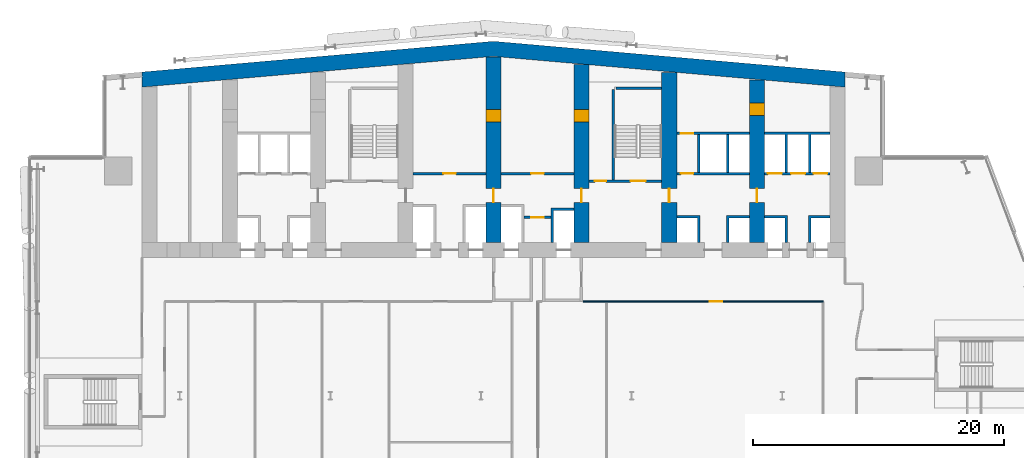
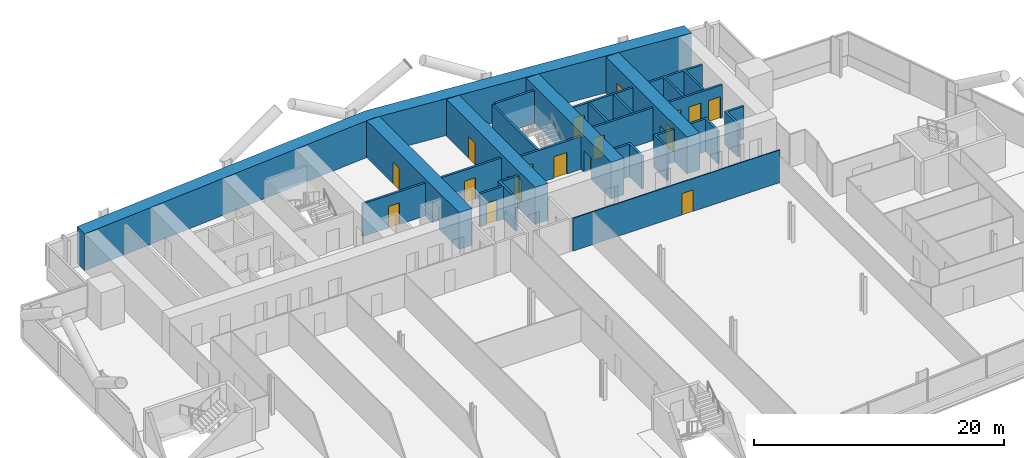
# One storey, part 15 of 24: 23 walls, 18 doors, 18 openings.
"""IFC4 building model written with IfcOpenShell, lengths in metres."""

from ifc_helpers import new_model, si_unit, direction, frame, frame_2d, origin, place, context, subcontext, project, spatial, polyline, rectangle, outline, extrude, material, layer, layer_set, type_object, element, fill, save


model = new_model("IFC4")

# Units and contexts
model_context = context("Model", 3, precision=1e-05, world=origin(), true_north=direction((0.0, 1.0)))
body_context = subcontext(model_context, "Body", "Model", "MODEL_VIEW")
ifc_project = project(units=[si_unit("LENGTHUNIT", "METRE"), si_unit("AREAUNIT", "SQUARE_METRE"), si_unit("VOLUMEUNIT", "CUBIC_METRE"), si_unit("PLANEANGLEUNIT", "RADIAN"), si_unit("MASSUNIT", "GRAM", prefix="KILO")], contexts=[model_context])

# Site, building, storey
site_placement = place(None, origin())
site = spatial("IfcSite", under=ifc_project, at=site_placement, CompositionType="ELEMENT")
building_placement = place(site_placement, origin())
building = spatial("IfcBuilding", under=site, at=building_placement, Name="Wharfspan Tower", CompositionType="ELEMENT")
storey_placement = place(building_placement, frame((0.0, 0.0, 66.699951)))
storey = spatial("IfcBuildingStorey", under=building, at=storey_placement, Name="L13", CompositionType="ELEMENT", Elevation=66.699951)

# Wall, opening, door
ifc_material_1 = material(Name="Gypsum board on steel studs", Category="steel")
ifc_layer_1 = layer(ifc_material_1, 0.100098)
ifc_layer_set_1 = layer_set([ifc_layer_1], Name="Gypsum board on steel studs")
wall_type_1 = type_object("IfcWallType", Name="Compartment wall 100 EI 60", PredefinedType="PARTITIONING", material=ifc_layer_set_1)
wall_1_placement = place(storey_placement, frame((44.149902, 30.5, 0.0), z_axis=(0.0, 0.0, 1.0), x_axis=(1.0, 0.0, 0.0)))
wall_1 = element("IfcWall", 1, at=wall_1_placement, inside=storey, type_object=wall_type_1, Name="Partition L13.w018 (2)", PredefinedType="PARTITIONING", context=body_context, shape_type="SweptSolid", body=[
    extrude(rectangle(XDim=19.100098, YDim=0.100098, at=frame_2d((9.550049, 0.0))), origin(), (0.0, 0.0, 1.0), 3.199951),
])
opening_1_placement = place(wall_1_placement, frame((10.070068, 0.0, 0.0)))
opening_1 = element("IfcOpeningElement", 2, at=opening_1_placement, cuts=wall_1, Name="Opening A3-17", PredefinedType="OPENING", context=body_context, shape_type="SweptSolid", body=[
    extrude(rectangle(XDim=1.0, YDim=2.100098, at=frame_2d((0.5, 1.050049))), frame((0.0, 0.060059, 0.0), z_axis=(0.0, -1.0, 0.0), x_axis=(1.0, 0.0, 0.0)), (0.0, 0.0, 1.0), 0.120117),
])
ifc_material_2 = material(Name="Fire-rated timber door leaf in steel frame", Category="steel")
door_type_1 = type_object("IfcDoorType", Name="Door 1000 FD30S Right", OperationType="SINGLE_SWING_RIGHT", PredefinedType="DOOR", material=ifc_material_2)
door_1_placement = place(opening_1_placement, origin())
door_1 = element("IfcDoor", 3, at=door_1_placement, inside=storey, type_object=door_type_1, Name="Door A3-17", OperationType="SINGLE_SWING_RIGHT", OverallHeight=2.100098, OverallWidth=1.0, PredefinedType="DOOR", context=body_context, shape_type="SweptSolid", body=[
    extrude(rectangle(XDim=1.0, YDim=2.100098, at=frame_2d((0.5, 1.050049))), frame((0.0, 0.024902, 0.0), z_axis=(0.0, -1.0, 0.0), x_axis=(1.0, 0.0, 0.0)), (0.0, 0.0, 1.0), 0.050049),
])
fill(opening_1, door_1)

ifc_material_3 = material(Name="Calcium silicate masonry", Category="masonry")
ifc_layer_2 = layer(ifc_material_3, 0.199951)
ifc_layer_set_2 = layer_set([ifc_layer_2], Name="Calcium silicate masonry")
wall_type_2 = type_object("IfcWallType", Name="Core room wall 200", PredefinedType="PARTITIONING", material=ifc_layer_set_2)
wall_2_placement = place(storey_placement, frame((39.43335, 37.199951, 0.0), z_axis=(0.0, 0.0, 1.0), x_axis=(1.0, 0.0, 0.0)))
wall_2 = element("IfcWall", 4, at=wall_2_placement, inside=storey, type_object=wall_type_2, Name="sw:L13:FR4.2", PredefinedType="PARTITIONING", context=body_context, shape_type="SweptSolid", body=[
    extrude(rectangle(XDim=2.133301, YDim=0.199951, at=frame_2d((1.06665, 0.0))), origin(), (0.0, 0.0, 1.0), 3.199951),
])
opening_2_placement = place(wall_2_placement, frame((0.56665, 0.0, 0.0)))
opening_2 = element("IfcOpeningElement", 5, at=opening_2_placement, cuts=wall_2, Name="Opening CD13.4H2", PredefinedType="OPENING", context=body_context, shape_type="SweptSolid", body=[
    extrude(rectangle(XDim=1.0, YDim=2.100098, at=frame_2d((0.5, 1.050049))), frame((0.0, 0.109863, 0.0), z_axis=(0.0, -1.0, 0.0), x_axis=(1.0, 0.0, 0.0)), (0.0, 0.0, 1.0), 0.219971),
])
ifc_material_4 = material(Name="Steel door leaf", Category="steel")
door_type_2 = type_object("IfcDoorType", Name="Core room door 1000x2100", OperationType="SINGLE_SWING_LEFT", PredefinedType="DOOR", material=ifc_material_4)
door_2_placement = place(opening_2_placement, origin())
door_2 = element("IfcDoor", 6, at=door_2_placement, inside=storey, type_object=door_type_2, Name="d:L13:4:fh4.2", OperationType="SINGLE_SWING_RIGHT", OverallHeight=2.100098, OverallWidth=1.0, PredefinedType="DOOR", context=body_context, shape_type="SweptSolid", body=[
    extrude(rectangle(XDim=1.0, YDim=2.100098, at=frame_2d((0.5, 1.050049))), frame((0.0, 0.024902, 0.0), z_axis=(0.0, -1.0, 0.0), x_axis=(1.0, 0.0, 0.0)), (0.0, 0.0, 1.0), 0.050049),
])
fill(opening_2, door_2)

# Wall
ifc_material_5 = material(Name="Concrete C70/85", Category="concrete")
ifc_layer_3 = layer(ifc_material_5, 1.199951)
ifc_layer_set_3 = layer_set([ifc_layer_3], Name="Concrete C70/85")
wall_type_3 = type_object("IfcWallType", Name="Core wall 1200 C70/85", PredefinedType="SHEAR", material=ifc_layer_set_3)
wall_3_placement = place(storey_placement, origin())
element("IfcWall", 7, at=wall_3_placement, inside=storey, type_object=wall_type_3, Name="Core rear wall L13", PredefinedType="SHEAR", context=body_context, shape_type="SweptSolid", body=[
    extrude(outline(polyline([(9.0, 47.582764), (37.0, 50.032471), (65.0, 47.582764), (65.0, 48.787354), (37.0, 51.237061), (9.0, 48.787354), (9.0, 47.582764)])), origin(), (0.0, 0.0, 1.0), 3.600098),
])

# Wall, openings, doors
wall_4_placement = place(storey_placement, frame((37.0, 35.199951, 0.0), z_axis=(0.0, 0.0, 1.0), x_axis=(0.0, 1.0, 0.0)))
wall_4 = element("IfcWall", 8, at=wall_4_placement, inside=storey, type_object=wall_type_3, Name="Core cross wall X4 L13", PredefinedType="SHEAR", context=body_context, shape_type="SweptSolid", body=[
    extrude(rectangle(XDim=14.780029, YDim=1.199951, at=frame_2d((7.390137, 0.0))), origin(), (0.0, 0.0, 1.0), 3.600098),
])
opening_3_placement = place(wall_4_placement, frame((3.199951, 0.0, 0.0)))
opening_3 = element("IfcOpeningElement", 9, at=opening_3_placement, cuts=wall_4, Name="Opening CC13.4", PredefinedType="OPENING", context=body_context, shape_type="SweptSolid", body=[
    extrude(rectangle(XDim=1.100098, YDim=2.100098, at=frame_2d((0.550049, 1.050049))), frame((0.0, 0.609863, 0.0), z_axis=(0.0, -1.0, 0.0), x_axis=(1.0, 0.0, 0.0)), (0.0, 0.0, 1.0), 1.219971),
])
opening_4_placement = place(wall_4_placement, frame((9.600098, 0.0, 0.0)))
opening_4 = element("IfcOpeningElement", 10, at=opening_4_placement, cuts=wall_4, Name="Opening CR13.4", PredefinedType="OPENING", context=body_context, shape_type="SweptSolid", body=[
    extrude(rectangle(XDim=1.0, YDim=2.100098, at=frame_2d((0.5, 1.050049))), frame((0.0, 0.609863, 0.0), z_axis=(0.0, -1.0, 0.0), x_axis=(1.0, 0.0, 0.0)), (0.0, 0.0, 1.0), 1.219971),
])
door_type_3 = type_object("IfcDoorType", Name="Core corridor door 1100x2100", OperationType="SINGLE_SWING_LEFT", PredefinedType="DOOR", material=ifc_material_4)
door_3_placement = place(opening_3_placement, origin())
door_3 = element("IfcDoor", 11, at=door_3_placement, inside=storey, type_object=door_type_3, Name="xd:L13:4", OperationType="SINGLE_SWING_RIGHT", OverallHeight=2.100098, OverallWidth=1.100098, PredefinedType="DOOR", context=body_context, shape_type="SweptSolid", body=[
    extrude(rectangle(XDim=1.100098, YDim=2.100098, at=frame_2d((0.550049, 1.050049))), frame((0.0, 0.024902, 0.0), z_axis=(0.0, -1.0, 0.0), x_axis=(1.0, 0.0, 0.0)), (0.0, 0.0, 1.0), 0.050049),
])
fill(opening_3, door_3)
door_4_placement = place(opening_4_placement, origin())
door_4 = element("IfcDoor", 12, at=door_4_placement, inside=storey, type_object=door_type_2, Name="xr:L13:4", OperationType="SINGLE_SWING_RIGHT", OverallHeight=2.100098, OverallWidth=1.0, PredefinedType="DOOR", context=body_context, shape_type="SweptSolid", body=[
    extrude(rectangle(XDim=1.0, YDim=2.100098, at=frame_2d((0.5, 1.050049))), frame((0.0, 0.599609, 0.0), z_axis=(0.0, -1.0, 0.0), x_axis=(1.0, 0.0, 0.0)), (0.0, 0.0, 1.0), 1.199463),
])
fill(opening_4, door_4)

wall_5_placement = place(storey_placement, frame((44.0, 35.199951, 0.0), z_axis=(0.0, 0.0, 1.0), x_axis=(0.0, 1.0, 0.0)))
wall_5 = element("IfcWall", 13, at=wall_5_placement, inside=storey, type_object=wall_type_3, Name="Core cross wall X5 L13", PredefinedType="SHEAR", context=body_context, shape_type="SweptSolid", body=[
    extrude(rectangle(XDim=14.167725, YDim=1.199951, at=frame_2d((7.083984, 0.0))), origin(), (0.0, 0.0, 1.0), 3.600098),
])
opening_5_placement = place(wall_5_placement, frame((3.199951, 0.0, 0.0)))
opening_5 = element("IfcOpeningElement", 14, at=opening_5_placement, cuts=wall_5, Name="Opening CC13.5", PredefinedType="OPENING", context=body_context, shape_type="SweptSolid", body=[
    extrude(rectangle(XDim=1.100098, YDim=2.100098, at=frame_2d((0.550049, 1.050049))), frame((0.0, 0.609863, 0.0), z_axis=(0.0, -1.0, 0.0), x_axis=(1.0, 0.0, 0.0)), (0.0, 0.0, 1.0), 1.219971),
])
opening_6_placement = place(wall_5_placement, frame((9.600098, 0.0, 0.0)))
opening_6 = element("IfcOpeningElement", 15, at=opening_6_placement, cuts=wall_5, Name="Opening CR13.5", PredefinedType="OPENING", context=body_context, shape_type="SweptSolid", body=[
    extrude(rectangle(XDim=1.0, YDim=2.100098, at=frame_2d((0.5, 1.050049))), frame((0.0, 0.609863, 0.0), z_axis=(0.0, -1.0, 0.0), x_axis=(1.0, 0.0, 0.0)), (0.0, 0.0, 1.0), 1.219971),
])
door_5_placement = place(opening_5_placement, origin())
door_5 = element("IfcDoor", 16, at=door_5_placement, inside=storey, type_object=door_type_3, Name="xd:L13:5", OperationType="SINGLE_SWING_LEFT", OverallHeight=2.100098, OverallWidth=1.100098, PredefinedType="DOOR", context=body_context, shape_type="SweptSolid", body=[
    extrude(rectangle(XDim=1.100098, YDim=2.100098, at=frame_2d((0.550049, 1.050049))), frame((0.0, 0.024902, 0.0), z_axis=(0.0, -1.0, 0.0), x_axis=(1.0, 0.0, 0.0)), (0.0, 0.0, 1.0), 0.050049),
])
fill(opening_5, door_5)
door_6_placement = place(opening_6_placement, origin())
door_6 = element("IfcDoor", 17, at=door_6_placement, inside=storey, type_object=door_type_2, Name="xr:L13:5", OperationType="SINGLE_SWING_RIGHT", OverallHeight=2.100098, OverallWidth=1.0, PredefinedType="DOOR", context=body_context, shape_type="SweptSolid", body=[
    extrude(rectangle(XDim=1.0, YDim=2.100098, at=frame_2d((0.5, 1.050049))), frame((0.0, 0.599609, 0.0), z_axis=(0.0, -1.0, 0.0), x_axis=(1.0, 0.0, 0.0)), (0.0, 0.0, 1.0), 1.199463),
])
fill(opening_6, door_6)

# Wall, opening, door
wall_6_placement = place(storey_placement, frame((51.0, 35.199951, 0.0), z_axis=(0.0, 0.0, 1.0), x_axis=(0.0, 1.0, 0.0)))
wall_6 = element("IfcWall", 18, at=wall_6_placement, inside=storey, type_object=wall_type_3, Name="Core cross wall X6 L13", PredefinedType="SHEAR", context=body_context, shape_type="SweptSolid", body=[
    extrude(rectangle(XDim=13.555176, YDim=1.199951, at=frame_2d((6.777588, 0.0))), origin(), (0.0, 0.0, 1.0), 3.600098),
])
opening_7_placement = place(wall_6_placement, frame((3.199951, 0.0, 0.0)))
opening_7 = element("IfcOpeningElement", 19, at=opening_7_placement, cuts=wall_6, Name="Opening CC13.6", PredefinedType="OPENING", context=body_context, shape_type="SweptSolid", body=[
    extrude(rectangle(XDim=1.100098, YDim=2.100098, at=frame_2d((0.550049, 1.050049))), frame((0.0, 0.609863, 0.0), z_axis=(0.0, -1.0, 0.0), x_axis=(1.0, 0.0, 0.0)), (0.0, 0.0, 1.0), 1.219971),
])
door_7_placement = place(opening_7_placement, origin())
door_7 = element("IfcDoor", 20, at=door_7_placement, inside=storey, type_object=door_type_3, Name="xd:L13:6", OperationType="SINGLE_SWING_RIGHT", OverallHeight=2.100098, OverallWidth=1.100098, PredefinedType="DOOR", context=body_context, shape_type="SweptSolid", body=[
    extrude(rectangle(XDim=1.100098, YDim=2.100098, at=frame_2d((0.550049, 1.050049))), frame((0.0, 0.024902, 0.0), z_axis=(0.0, -1.0, 0.0), x_axis=(1.0, 0.0, 0.0)), (0.0, 0.0, 1.0), 0.050049),
])
fill(opening_7, door_7)

# Wall, openings, doors
wall_7_placement = place(storey_placement, frame((58.0, 35.199951, 0.0), z_axis=(0.0, 0.0, 1.0), x_axis=(0.0, 1.0, 0.0)))
wall_7 = element("IfcWall", 21, at=wall_7_placement, inside=storey, type_object=wall_type_3, Name="Core cross wall X7 L13", PredefinedType="SHEAR", context=body_context, shape_type="SweptSolid", body=[
    extrude(rectangle(XDim=12.942871, YDim=1.199951, at=frame_2d((6.471436, 0.0))), origin(), (0.0, 0.0, 1.0), 3.600098),
])
opening_8_placement = place(wall_7_placement, frame((10.133789, 0.0, 0.0)))
opening_8 = element("IfcOpeningElement", 22, at=opening_8_placement, cuts=wall_7, Name="Opening CD13.7X", PredefinedType="OPENING", context=body_context, shape_type="SweptSolid", body=[
    extrude(rectangle(XDim=1.0, YDim=2.100098, at=frame_2d((0.5, 1.050049))), frame((0.0, 0.609863, 0.0), z_axis=(0.0, -1.0, 0.0), x_axis=(1.0, 0.0, 0.0)), (0.0, 0.0, 1.0), 1.219971),
])
opening_9_placement = place(wall_7_placement, frame((3.199951, 0.0, 0.0)))
opening_9 = element("IfcOpeningElement", 23, at=opening_9_placement, cuts=wall_7, Name="Opening CC13.7", PredefinedType="OPENING", context=body_context, shape_type="SweptSolid", body=[
    extrude(rectangle(XDim=1.100098, YDim=2.100098, at=frame_2d((0.550049, 1.050049))), frame((0.0, 0.609863, 0.0), z_axis=(0.0, -1.0, 0.0), x_axis=(1.0, 0.0, 0.0)), (0.0, 0.0, 1.0), 1.219971),
])
door_8_placement = place(opening_9_placement, origin())
door_8 = element("IfcDoor", 24, at=door_8_placement, inside=storey, type_object=door_type_3, Name="xd:L13:7", OperationType="SINGLE_SWING_LEFT", OverallHeight=2.100098, OverallWidth=1.100098, PredefinedType="DOOR", context=body_context, shape_type="SweptSolid", body=[
    extrude(rectangle(XDim=1.100098, YDim=2.100098, at=frame_2d((0.550049, 1.050049))), frame((0.0, 0.024902, 0.0), z_axis=(0.0, -1.0, 0.0), x_axis=(1.0, 0.0, 0.0)), (0.0, 0.0, 1.0), 0.050049),
])
fill(opening_9, door_8)
door_9_placement = place(opening_8_placement, origin())
door_9 = element("IfcDoor", 25, at=door_9_placement, inside=storey, type_object=door_type_2, Name="d:L13:7:sx", OperationType="SINGLE_SWING_LEFT", OverallHeight=2.100098, OverallWidth=1.0, PredefinedType="DOOR", context=body_context, shape_type="SweptSolid", body=[
    extrude(rectangle(XDim=1.0, YDim=2.100098, at=frame_2d((0.5, 1.050049))), frame((0.0, 0.599609, 0.0), z_axis=(0.0, -1.0, 0.0), x_axis=(1.0, 0.0, 0.0)), (0.0, 0.0, 1.0), 1.199463),
])
fill(opening_8, door_9)

# Wall, opening, door
ifc_material_6 = material(Name="Concrete C30/37", Category="concrete")
ifc_layer_4 = layer(ifc_material_6, 0.199951)
ifc_layer_set_4 = layer_set([ifc_layer_4], Name="Concrete C30/37")
wall_type_4 = type_object("IfcWallType", Name="Lift shaft wall 200", PredefinedType="PARTITIONING", material=ifc_layer_set_4)
wall_8_placement = place(storey_placement, frame((30.600098, 40.699951, 0.0), z_axis=(0.0, 0.0, 1.0), x_axis=(1.0, 0.0, 0.0)))
wall_8 = element("IfcWall", 26, at=wall_8_placement, inside=storey, type_object=wall_type_4, Name="sw:L13:RF3", PredefinedType="PARTITIONING", context=body_context, shape_type="SweptSolid", body=[
    extrude(rectangle(XDim=5.799805, YDim=0.199951, at=frame_2d((2.899902, 0.0))), origin(), (0.0, 0.0, 1.0), 3.199951),
])
opening_10_placement = place(wall_8_placement, frame((2.399902, 0.0, 0.0)))
opening_10 = element("IfcOpeningElement", 27, at=opening_10_placement, cuts=wall_8, Name="Opening CD13.3S", PredefinedType="OPENING", context=body_context, shape_type="SweptSolid", body=[
    extrude(rectangle(XDim=1.0, YDim=2.100098, at=frame_2d((0.5, 1.050049))), frame((0.0, 0.109863, 0.0), z_axis=(0.0, -1.0, 0.0), x_axis=(1.0, 0.0, 0.0)), (0.0, 0.0, 1.0), 0.219971),
])
door_10_placement = place(opening_10_placement, origin())
door_10 = element("IfcDoor", 28, at=door_10_placement, inside=storey, type_object=door_type_2, Name="d:L13:3:sf", OperationType="SINGLE_SWING_LEFT", OverallHeight=2.100098, OverallWidth=1.0, PredefinedType="DOOR", context=body_context, shape_type="SweptSolid", body=[
    extrude(rectangle(XDim=1.0, YDim=2.100098, at=frame_2d((0.5, 1.050049))), frame((0.0, 0.024902, 0.0), z_axis=(0.0, -1.0, 0.0), x_axis=(1.0, 0.0, 0.0)), (0.0, 0.0, 1.0), 0.050049),
])
fill(opening_10, door_10)

wall_9_placement = place(storey_placement, frame((37.600098, 40.699951, 0.0), z_axis=(0.0, 0.0, 1.0), x_axis=(1.0, 0.0, 0.0)))
wall_9 = element("IfcWall", 29, at=wall_9_placement, inside=storey, type_object=wall_type_4, Name="sw:L13:RF4", PredefinedType="PARTITIONING", context=body_context, shape_type="SweptSolid", body=[
    extrude(rectangle(XDim=5.799805, YDim=0.199951, at=frame_2d((2.899902, 0.0))), origin(), (0.0, 0.0, 1.0), 3.199951),
])
opening_11_placement = place(wall_9_placement, frame((2.399902, 0.0, 0.0)))
opening_11 = element("IfcOpeningElement", 30, at=opening_11_placement, cuts=wall_9, Name="Opening CD13.4S", PredefinedType="OPENING", context=body_context, shape_type="SweptSolid", body=[
    extrude(rectangle(XDim=1.0, YDim=2.100098, at=frame_2d((0.5, 1.050049))), frame((0.0, 0.109863, 0.0), z_axis=(0.0, -1.0, 0.0), x_axis=(1.0, 0.0, 0.0)), (0.0, 0.0, 1.0), 0.219971),
])
door_11_placement = place(opening_11_placement, origin())
door_11 = element("IfcDoor", 31, at=door_11_placement, inside=storey, type_object=door_type_2, Name="d:L13:4:sf", OperationType="SINGLE_SWING_LEFT", OverallHeight=2.100098, OverallWidth=1.0, PredefinedType="DOOR", context=body_context, shape_type="SweptSolid", body=[
    extrude(rectangle(XDim=1.0, YDim=2.100098, at=frame_2d((0.5, 1.050049))), frame((0.0, 0.024902, 0.0), z_axis=(0.0, -1.0, 0.0), x_axis=(1.0, 0.0, 0.0)), (0.0, 0.0, 1.0), 0.050049),
])
fill(opening_11, door_11)

# Wall
wall_10_placement = place(storey_placement, frame((0.0, 0.0, -0.000244)))
element("IfcWall", 32, at=wall_10_placement, inside=storey, type_object=wall_type_4, Name="sw:L13:FM4.0", PredefinedType="PARTITIONING", context=body_context, shape_type="SweptSolid", body=[
    extrude(outline(polyline([(41.56665, 37.949951), (41.766602, 37.949951), (43.399902, 37.949951), (43.399902, 37.75), (41.766602, 37.75), (41.766602, 35.199951), (41.56665, 35.199951), (41.56665, 37.949951)])), origin(), (0.0, 0.0, 1.0), 3.200195),
])

# Wall, opening, door
wall_11_placement = place(storey_placement, frame((51.600098, 40.699951, 0.0), z_axis=(0.0, 0.0, 1.0), x_axis=(1.0, 0.0, 0.0)))
wall_11 = element("IfcWall", 33, at=wall_11_placement, inside=storey, type_object=wall_type_4, Name="sw:L13:RF6", PredefinedType="PARTITIONING", context=body_context, shape_type="SweptSolid", body=[
    extrude(rectangle(XDim=5.799805, YDim=0.199951, at=frame_2d((2.899902, 0.0))), origin(), (0.0, 0.0, 1.0), 3.199951),
])
opening_12_placement = place(wall_11_placement, frame((0.31665, 0.0, 0.0)))
opening_12 = element("IfcOpeningElement", 34, at=opening_12_placement, cuts=wall_11, Name="Opening CD13.6R1", PredefinedType="OPENING", context=body_context, shape_type="SweptSolid", body=[
    extrude(rectangle(XDim=1.0, YDim=2.100098, at=frame_2d((0.5, 1.050049))), frame((0.0, 0.109863, 0.0), z_axis=(0.0, -1.0, 0.0), x_axis=(1.0, 0.0, 0.0)), (0.0, 0.0, 1.0), 0.219971),
])
door_12_placement = place(opening_12_placement, origin())
door_12 = element("IfcDoor", 35, at=door_12_placement, inside=storey, type_object=door_type_2, Name="d:L13:6:rd6.1", OperationType="SINGLE_SWING_RIGHT", OverallHeight=2.100098, OverallWidth=1.0, PredefinedType="DOOR", context=body_context, shape_type="SweptSolid", body=[
    extrude(rectangle(XDim=1.0, YDim=2.100098, at=frame_2d((0.5, 1.050049))), frame((0.0, 0.024902, 0.0), z_axis=(0.0, -1.0, 0.0), x_axis=(1.0, 0.0, 0.0)), (0.0, 0.0, 1.0), 0.050049),
])
fill(opening_12, door_12)

wall_12_placement = place(storey_placement, frame((51.600098, 43.899902, 0.0), z_axis=(0.0, 0.0, 1.0), x_axis=(1.0, 0.0, 0.0)))
wall_12 = element("IfcWall", 36, at=wall_12_placement, inside=storey, type_object=wall_type_4, Name="sw:L13:RR6", PredefinedType="PARTITIONING", context=body_context, shape_type="SweptSolid", body=[
    extrude(rectangle(XDim=5.799805, YDim=0.199951, at=frame_2d((2.899902, 0.0))), origin(), (0.0, 0.0, 1.0), 3.199951),
])
opening_13_placement = place(wall_12_placement, frame((0.31665, 0.0, 0.0)))
opening_13 = element("IfcOpeningElement", 37, at=opening_13_placement, cuts=wall_12, Name="Opening CD13.6S1", PredefinedType="OPENING", context=body_context, shape_type="SweptSolid", body=[
    extrude(rectangle(XDim=1.0, YDim=2.100098, at=frame_2d((0.5, 1.050049))), frame((0.0, 0.109863, 0.0), z_axis=(0.0, -1.0, 0.0), x_axis=(1.0, 0.0, 0.0)), (0.0, 0.0, 1.0), 0.219971),
])
door_13_placement = place(opening_13_placement, origin())
door_13 = element("IfcDoor", 38, at=door_13_placement, inside=storey, type_object=door_type_2, Name="d:L13:6:rs6.1", OperationType="SINGLE_SWING_LEFT", OverallHeight=2.100098, OverallWidth=1.0, PredefinedType="DOOR", context=body_context, shape_type="SweptSolid", body=[
    extrude(rectangle(XDim=1.0, YDim=2.100098, at=frame_2d((0.5, 1.050049))), frame((0.0, 0.024902, 0.0), z_axis=(0.0, -1.0, 0.0), x_axis=(1.0, 0.0, 0.0)), (0.0, 0.0, 1.0), 0.050049),
])
fill(opening_13, door_13)

# Walls
wall_13_placement = place(storey_placement, frame((0.0, 0.0, -0.000244)))
element("IfcWall", 39, at=wall_13_placement, inside=storey, type_object=wall_type_4, Name="sw:L13:FM6.0", PredefinedType="PARTITIONING", context=body_context, shape_type="SweptSolid", body=[
    extrude(outline(polyline([(53.233398, 37.149902), (51.600098, 37.149902), (51.600098, 37.350098), (53.233398, 37.350098), (53.43335, 37.350098), (53.43335, 35.199951), (53.233398, 35.199951), (53.233398, 37.149902)])), origin(), (0.0, 0.0, 1.0), 3.200195),
])
wall_14_placement = place(storey_placement, frame((0.0, 0.0, -0.000244)))
element("IfcWall", 40, at=wall_14_placement, inside=storey, type_object=wall_type_4, Name="sw:L13:FM6.1", PredefinedType="PARTITIONING", context=body_context, shape_type="SweptSolid", body=[
    extrude(outline(polyline([(55.56665, 37.350098), (55.766602, 37.350098), (57.399902, 37.350098), (57.399902, 37.149902), (55.766602, 37.149902), (55.766602, 35.199951), (55.56665, 35.199951), (55.56665, 37.350098)])), origin(), (0.0, 0.0, 1.0), 3.200195),
])
wall_15_placement = place(storey_placement, frame((0.0, 0.0, -0.000244)))
element("IfcWall", 41, at=wall_15_placement, inside=storey, type_object=wall_type_4, Name="sw:L13:RM6.0", PredefinedType="PARTITIONING", context=body_context, shape_type="SweptSolid", body=[
    extrude(outline(polyline([(53.233398, 40.800049), (53.233398, 43.800049), (53.43335, 43.800049), (53.43335, 40.800049), (53.233398, 40.800049)])), origin(), (0.0, 0.0, 1.0), 3.200195),
])
wall_16_placement = place(storey_placement, frame((0.0, 0.0, -0.000244)))
element("IfcWall", 42, at=wall_16_placement, inside=storey, type_object=wall_type_4, Name="sw:L13:RM6.1", PredefinedType="PARTITIONING", context=body_context, shape_type="SweptSolid", body=[
    extrude(outline(polyline([(55.56665, 40.800049), (55.56665, 43.800049), (55.766602, 43.800049), (55.766602, 40.800049), (55.56665, 40.800049)])), origin(), (0.0, 0.0, 1.0), 3.200195),
])

# Wall, openings, doors
wall_17_placement = place(storey_placement, frame((58.600098, 40.699951, 0.0), z_axis=(0.0, 0.0, 1.0), x_axis=(1.0, 0.0, 0.0)))
wall_17 = element("IfcWall", 43, at=wall_17_placement, inside=storey, type_object=wall_type_4, Name="sw:L13:RF7", PredefinedType="PARTITIONING", context=body_context, shape_type="SweptSolid", body=[
    extrude(rectangle(XDim=5.199951, YDim=0.199951, at=frame_2d((2.600098, 0.0))), origin(), (0.0, 0.0, 1.0), 3.199951),
])
opening_14_placement = place(wall_17_placement, frame((0.266602, 0.0, 0.0)))
opening_14 = element("IfcOpeningElement", 44, at=opening_14_placement, cuts=wall_17, Name="Opening LD.LA8.L13", PredefinedType="OPENING", context=body_context, shape_type="SweptSolid", body=[
    extrude(rectangle(XDim=1.100098, YDim=2.100098, at=frame_2d((0.550049, 1.050049))), frame((0.0, 0.109863, 0.0), z_axis=(0.0, -1.0, 0.0), x_axis=(1.0, 0.0, 0.0)), (0.0, 0.0, 1.0), 0.219971),
])
opening_15_placement = place(wall_17_placement, frame((2.116699, 0.0, 0.0)))
opening_15 = element("IfcOpeningElement", 45, at=opening_15_placement, cuts=wall_17, Name="Opening LD.LA9.L13", PredefinedType="OPENING", context=body_context, shape_type="SweptSolid", body=[
    extrude(rectangle(XDim=1.100098, YDim=2.100098, at=frame_2d((0.550049, 1.050049))), frame((0.0, 0.109863, 0.0), z_axis=(0.0, -1.0, 0.0), x_axis=(1.0, 0.0, 0.0)), (0.0, 0.0, 1.0), 0.219971),
])
opening_16_placement = place(wall_17_placement, frame((3.899902, 0.0, 0.0)))
opening_16 = element("IfcOpeningElement", 46, at=opening_16_placement, cuts=wall_17, Name="Opening LD.LA10.L13", PredefinedType="OPENING", context=body_context, shape_type="SweptSolid", body=[
    extrude(rectangle(XDim=1.100098, YDim=2.100098, at=frame_2d((0.550049, 1.050049))), frame((0.0, 0.109863, 0.0), z_axis=(0.0, -1.0, 0.0), x_axis=(1.0, 0.0, 0.0)), (0.0, 0.0, 1.0), 0.219971),
])
ifc_material_7 = material(Name="Stainless steel", Category="steel")
door_type_4 = type_object("IfcDoorType", Name="Lift landing door 1100x2100", OperationType="DOUBLE_DOOR_SLIDING", PredefinedType="DOOR", material=ifc_material_7)
door_14_placement = place(opening_14_placement, origin())
door_14 = element("IfcDoor", 47, at=door_14_placement, inside=storey, type_object=door_type_4, Name="Landing door LA8 L13", OperationType="DOUBLE_DOOR_SLIDING", OverallHeight=2.100098, OverallWidth=1.100098, PredefinedType="DOOR", context=body_context, shape_type="SweptSolid", body=[
    extrude(rectangle(XDim=1.100098, YDim=2.100098, at=frame_2d((0.550049, 1.050049))), frame((0.0, 0.024902, 0.0), z_axis=(0.0, -1.0, 0.0), x_axis=(1.0, 0.0, 0.0)), (0.0, 0.0, 1.0), 0.050049),
])
fill(opening_14, door_14)
door_15_placement = place(opening_15_placement, origin())
door_15 = element("IfcDoor", 48, at=door_15_placement, inside=storey, type_object=door_type_4, Name="Landing door LA9 L13", OperationType="DOUBLE_DOOR_SLIDING", OverallHeight=2.100098, OverallWidth=1.100098, PredefinedType="DOOR", context=body_context, shape_type="SweptSolid", body=[
    extrude(rectangle(XDim=1.100098, YDim=2.100098, at=frame_2d((0.550049, 1.050049))), frame((0.0, 0.024902, 0.0), z_axis=(0.0, -1.0, 0.0), x_axis=(1.0, 0.0, 0.0)), (0.0, 0.0, 1.0), 0.050049),
])
fill(opening_15, door_15)
door_16_placement = place(opening_16_placement, origin())
door_16 = element("IfcDoor", 49, at=door_16_placement, inside=storey, type_object=door_type_4, Name="Landing door LA10 L13", OperationType="DOUBLE_DOOR_SLIDING", OverallHeight=2.100098, OverallWidth=1.100098, PredefinedType="DOOR", context=body_context, shape_type="SweptSolid", body=[
    extrude(rectangle(XDim=1.100098, YDim=2.100098, at=frame_2d((0.550049, 1.050049))), frame((0.0, 0.024902, 0.0), z_axis=(0.0, -1.0, 0.0), x_axis=(1.0, 0.0, 0.0)), (0.0, 0.0, 1.0), 0.050049),
])
fill(opening_16, door_16)

# Walls
wall_18_placement = place(storey_placement, frame((0.0, 0.0, -0.000244)))
element("IfcWall", 50, at=wall_18_placement, inside=storey, type_object=wall_type_4, Name="sw:L13:FM7.0", PredefinedType="PARTITIONING", context=body_context, shape_type="SweptSolid", body=[
    extrude(outline(polyline([(60.233398, 37.149902), (58.600098, 37.149902), (58.600098, 37.350098), (60.233398, 37.350098), (60.43335, 37.350098), (60.43335, 35.199951), (60.233398, 35.199951), (60.233398, 37.149902)])), origin(), (0.0, 0.0, 1.0), 3.200195),
])
wall_19_placement = place(storey_placement, frame((0.0, 0.0, -0.000244)))
element("IfcWall", 51, at=wall_19_placement, inside=storey, type_object=wall_type_4, Name="sw:L13:FM7.1", PredefinedType="PARTITIONING", context=body_context, shape_type="SweptSolid", body=[
    extrude(outline(polyline([(62.100098, 37.350098), (62.300049, 37.350098), (63.800049, 37.350098), (63.800049, 37.149902), (62.300049, 37.149902), (62.300049, 35.199951), (62.100098, 35.199951), (62.100098, 37.350098)])), origin(), (0.0, 0.0, 1.0), 3.200195),
])
wall_20_placement = place(storey_placement, frame((0.0, 0.0, -0.000244)))
element("IfcWall", 52, at=wall_20_placement, inside=storey, type_object=wall_type_4, Name="sw:L13:RM7.0", PredefinedType="PARTITIONING", context=body_context, shape_type="SweptSolid", body=[
    extrude(outline(polyline([(60.43335, 40.800049), (60.233398, 40.800049), (60.233398, 43.800049), (58.600098, 43.800049), (58.600098, 44.0), (63.800049, 44.0), (63.800049, 43.800049), (62.300049, 43.800049), (62.300049, 40.800049), (62.100098, 40.800049), (62.100098, 43.800049), (60.43335, 43.800049), (60.43335, 40.800049)])), origin(), (0.0, 0.0, 1.0), 3.200195),
])

# Wall, openings, doors
ifc_material_8 = material(Name="Concrete C40/50", Category="concrete")
ifc_layer_5 = layer(ifc_material_8, 0.199951)
ifc_layer_set_5 = layer_set([ifc_layer_5], Name="Concrete C40/50")
wall_type_5 = type_object("IfcWallType", Name="Stair shaft wall 200", PredefinedType="SHEAR", material=ifc_layer_set_5)
wall_21_placement = place(storey_placement, frame((44.600098, 40.100098, 0.0), z_axis=(0.0, 0.0, 1.0), x_axis=(1.0, 0.0, 0.0)))
wall_21 = element("IfcWall", 53, at=wall_21_placement, inside=storey, type_object=wall_type_5, Name="ST2 stair enclosure wall L13", PredefinedType="SHEAR", context=body_context, shape_type="SweptSolid", body=[
    extrude(rectangle(XDim=5.799805, YDim=0.199951, at=frame_2d((2.899902, 0.0))), origin(), (0.0, 0.0, 1.0), 3.199951),
])
opening_17_placement = place(wall_21_placement, frame((3.324951, 0.0, 0.0)))
opening_17 = element("IfcOpeningElement", 54, at=opening_17_placement, cuts=wall_21, Name="Opening SD5.L13", PredefinedType="OPENING", context=body_context, shape_type="SweptSolid", body=[
    extrude(rectangle(XDim=1.199951, YDim=2.100098, at=frame_2d((0.600098, 1.050049))), frame((0.0, 0.109863, 0.0), z_axis=(0.0, -1.0, 0.0), x_axis=(1.0, 0.0, 0.0)), (0.0, 0.0, 1.0), 0.219971),
])
opening_18_placement = place(wall_21_placement, frame((0.475098, 0.0, 0.0)))
opening_18 = element("IfcOpeningElement", 55, at=opening_18_placement, cuts=wall_21, Name="Opening CD13.5R", PredefinedType="OPENING", context=body_context, shape_type="SweptSolid", body=[
    extrude(rectangle(XDim=0.899902, YDim=2.100098, at=frame_2d((0.449951, 1.050049))), frame((0.0, 0.109863, 0.0), z_axis=(0.0, -1.0, 0.0), x_axis=(1.0, 0.0, 0.0)), (0.0, 0.0, 1.0), 0.219971),
])
door_17_placement = place(opening_18_placement, origin())
door_17 = element("IfcDoor", 56, at=door_17_placement, inside=storey, type_object=door_type_2, Name="rk:L13:5", OperationType="SINGLE_SWING_LEFT", OverallHeight=2.100098, OverallWidth=0.899902, PredefinedType="DOOR", context=body_context, shape_type="SweptSolid", body=[
    extrude(rectangle(XDim=0.899902, YDim=2.100098, at=frame_2d((0.449951, 1.050049))), frame((0.0, 0.024902, 0.0), z_axis=(0.0, -1.0, 0.0), x_axis=(1.0, 0.0, 0.0)), (0.0, 0.0, 1.0), 0.050049),
])
fill(opening_18, door_17)
door_type_5 = type_object("IfcDoorType", Name="Stair door 1200x2100", OperationType="SINGLE_SWING_LEFT", PredefinedType="DOOR", material=ifc_material_4)
door_18_placement = place(opening_17_placement, origin())
door_18 = element("IfcDoor", 57, at=door_18_placement, inside=storey, type_object=door_type_5, Name="sd:L13:5", OperationType="SINGLE_SWING_RIGHT", OverallHeight=2.100098, OverallWidth=1.199951, PredefinedType="DOOR", context=body_context, shape_type="SweptSolid", body=[
    extrude(rectangle(XDim=1.199951, YDim=2.100098, at=frame_2d((0.600098, 1.050049))), frame((0.0, 0.024902, 0.0), z_axis=(0.0, -1.0, 0.0), x_axis=(1.0, 0.0, 0.0)), (0.0, 0.0, 1.0), 0.050049),
])
fill(opening_17, door_18)

# Walls
wall_22_placement = place(storey_placement, frame((46.550049, 40.199951, 0.0), z_axis=(0.0, 0.0, 1.0), x_axis=(0.0, 1.0, 0.0)))
element("IfcWall", 58, at=wall_22_placement, inside=storey, type_object=wall_type_5, Name="ST2 stair enclosure wall L13", PredefinedType="SHEAR", context=body_context, shape_type="SweptSolid", body=[
    extrude(rectangle(XDim=7.199951, YDim=0.199951, at=frame_2d((3.600098, 0.0))), origin(), (0.0, 0.0, 1.0), 3.199951),
])
wall_23_placement = place(storey_placement, frame((46.75, 47.5, 0.0), z_axis=(0.0, 0.0, 1.0), x_axis=(1.0, 0.0, 0.0)))
element("IfcWall", 59, at=wall_23_placement, inside=storey, type_object=wall_type_5, Name="ST2 stair enclosure wall L13", PredefinedType="SHEAR", context=body_context, shape_type="SweptSolid", body=[
    extrude(rectangle(XDim=3.649902, YDim=0.199951, at=frame_2d((1.824951, 0.0))), origin(), (0.0, 0.0, 1.0), 3.199951),
])

save(model, "model.ifc")
